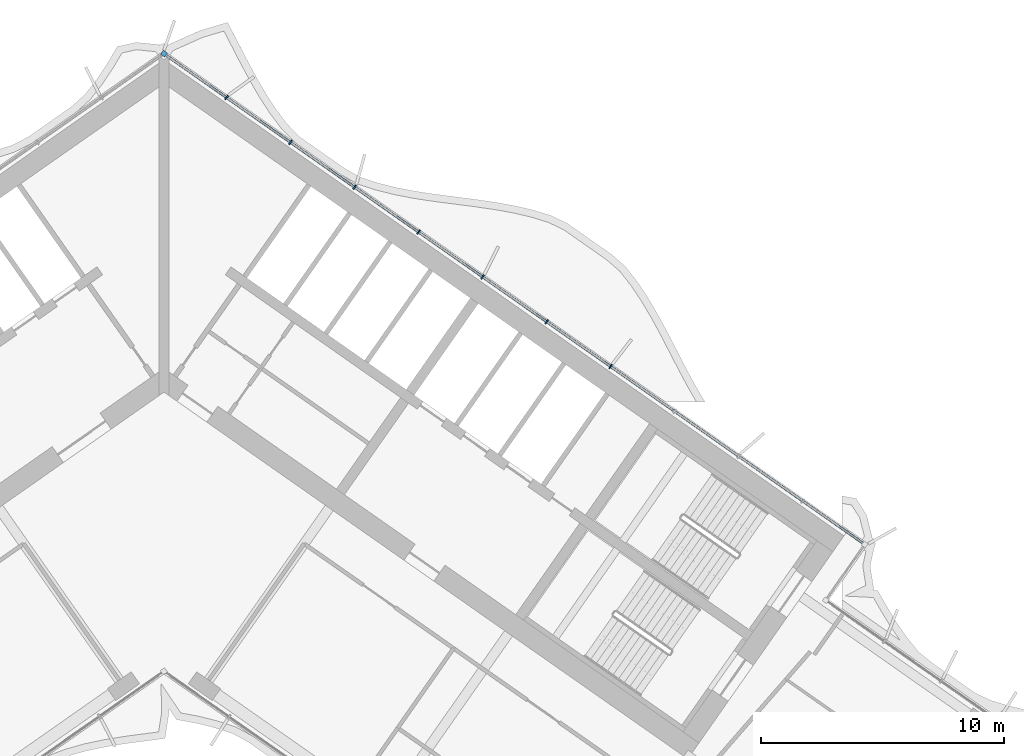
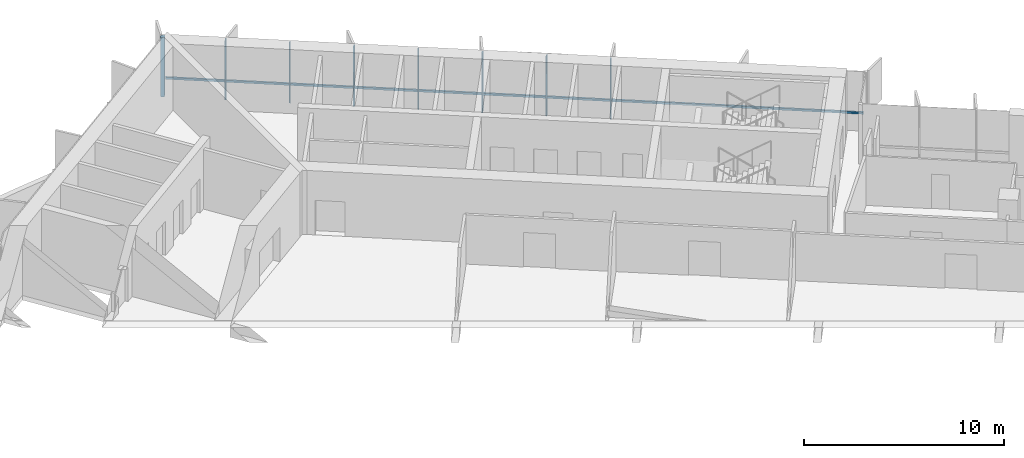
# One storey, part 8 of 21: 9 members, 1 element without a shape of its own.
"""IFC4 building model written with IfcOpenShell, lengths in metres."""

from ifc_helpers import new_model, si_unit, direction, frame, origin, origin_2d, place, context, subcontext, project, spatial, rectangle, extrude, material, material_profile, profile_set, type_object, element, aggregate, save


model = new_model("IFC4")

# Units and contexts
model_context = context("Model", 3, precision=1e-05, world=origin(), true_north=direction((0.0, 1.0)))
body_context = subcontext(model_context, "Body", "Model", "MODEL_VIEW")
ifc_project = project(units=[si_unit("LENGTHUNIT", "METRE"), si_unit("AREAUNIT", "SQUARE_METRE"), si_unit("VOLUMEUNIT", "CUBIC_METRE"), si_unit("PLANEANGLEUNIT", "RADIAN"), si_unit("MASSUNIT", "GRAM", prefix="KILO")], contexts=[model_context])

# Site, building, storey
site_placement = place(None, origin())
site = spatial("IfcSite", under=ifc_project, at=site_placement, CompositionType="ELEMENT")
building_placement = place(site_placement, origin())
building = spatial("IfcBuilding", under=site, at=building_placement, Name="Tel Ilan Convention Tower", CompositionType="ELEMENT")
storey_placement = place(building_placement, frame((0.0, 0.0, 159.300048828125)))
storey = spatial("IfcBuildingStorey", under=building, at=storey_placement, Name="L36", CompositionType="ELEMENT", Elevation=159.300048828125)

# Curtain wall, members
ifc_material_1 = material(Name="Aluminium, bronze anodised", Category="aluminium")
curtain_wall_type = type_object("IfcCurtainWallType", Name="CW2 STICK CURTAIN WALL, SPANDREL PANELS", PredefinedType="NOTDEFINED", material=ifc_material_1)
curtain_wall_placement = place(storey_placement, origin())
curtain_wall = element("IfcCurtainWall", 1, at=curtain_wall_placement, inside=storey, type_object=curtain_wall_type, Name="Curtain wall CW2-28.01", PredefinedType="NOTDEFINED")
ifc_material_2 = material(Name="Aluminium, bronze anodised", Category="aluminium")
ifc_material_profile_1 = material_profile(ifc_material_2, rectangle(XDim=0.199951171875, YDim=0.199951171875, at=origin_2d()), Name="CW CORNER MULLION 200x200")
ifc_profile_set_1 = profile_set([ifc_material_profile_1], Name="Aluminium, bronze anodised")
member_type_1 = type_object("IfcMemberType", Name="CW CORNER MULLION 200x200", PredefinedType="MULLION", material=ifc_profile_set_1)
member_1_placement = place(storey_placement, frame((0.0, 12.696044921875, 0.0), z_axis=(0.0, 0.0, 1.0), x_axis=(-0.819152044289, 0.573576436351, 0.0)))
member_1 = element("IfcMember", 2, at=member_1_placement, type_object=member_type_1, Name="Corner mullion", PredefinedType="MULLION", context=body_context, shape_type="SweptSolid", body=[
    extrude(rectangle(XDim=0.199951171875, YDim=0.199951171875, at=origin_2d()), origin(), (0.0, 0.0, 1.0), 3.619873046875),
])
ifc_material_3 = material(Name="Aluminium, bronze anodised", Category="aluminium")
ifc_material_profile_2 = material_profile(ifc_material_3, rectangle(XDim=0.06005859375, YDim=0.199951171875, at=origin_2d()), Name="CW MULLION 60x200")
ifc_profile_set_2 = profile_set([ifc_material_profile_2], Name="Aluminium, bronze anodised")
member_type_2 = type_object("IfcMemberType", Name="CW MULLION 60x200", PredefinedType="MULLION", material=ifc_profile_set_2)
member_2_placement = place(storey_placement, frame((18.37109375, -0.16748046875, 0.0), z_axis=(0.0, 0.0, 1.0), x_axis=(-0.819152044289, 0.573576436351, 0.0)))
member_2 = element("IfcMember", 3, at=member_2_placement, type_object=member_type_2, Name="Mullion", PredefinedType="MULLION", context=body_context, shape_type="SweptSolid", body=[
    extrude(rectangle(XDim=0.06005859375, YDim=0.199951171875, at=origin_2d()), origin(), (0.0, 0.0, 1.0), 3.619873046875),
])
member_3_placement = place(storey_placement, frame((15.73828125, 1.676025390625, 0.0), z_axis=(0.0, 0.0, 1.0), x_axis=(-0.819152044289, 0.573576436351, 0.0)))
member_3 = element("IfcMember", 4, at=member_3_placement, type_object=member_type_2, Name="Mullion", PredefinedType="MULLION", context=body_context, shape_type="SweptSolid", body=[
    extrude(rectangle(XDim=0.06005859375, YDim=0.199951171875, at=origin_2d()), origin(), (0.0, 0.0, 1.0), 3.619873046875),
])
member_4_placement = place(storey_placement, frame((13.105712890625, 3.519287109375, 0.0), z_axis=(0.0, 0.0, 1.0), x_axis=(-0.819152044289, 0.573576436351, 0.0)))
member_4 = element("IfcMember", 5, at=member_4_placement, type_object=member_type_2, Name="Mullion", PredefinedType="MULLION", context=body_context, shape_type="SweptSolid", body=[
    extrude(rectangle(XDim=0.06005859375, YDim=0.199951171875, at=origin_2d()), origin(), (0.0, 0.0, 1.0), 3.619873046875),
])
member_5_placement = place(storey_placement, frame((10.47314453125, 5.36279296875, 0.0), z_axis=(0.0, 0.0, 1.0), x_axis=(-0.819152044289, 0.573576436351, 0.0)))
member_5 = element("IfcMember", 6, at=member_5_placement, type_object=member_type_2, Name="Mullion", PredefinedType="MULLION", context=body_context, shape_type="SweptSolid", body=[
    extrude(rectangle(XDim=0.06005859375, YDim=0.199951171875, at=origin_2d()), origin(), (0.0, 0.0, 1.0), 3.619873046875),
])
member_6_placement = place(storey_placement, frame((7.840576171875, 7.2060546875, 0.0), z_axis=(0.0, 0.0, 1.0), x_axis=(-0.819152044289, 0.573576436351, 0.0)))
member_6 = element("IfcMember", 7, at=member_6_placement, type_object=member_type_2, Name="Mullion", PredefinedType="MULLION", context=body_context, shape_type="SweptSolid", body=[
    extrude(rectangle(XDim=0.06005859375, YDim=0.199951171875, at=origin_2d()), origin(), (0.0, 0.0, 1.0), 3.619873046875),
])
member_7_placement = place(storey_placement, frame((5.207763671875, 9.049560546875, 0.0), z_axis=(0.0, 0.0, 1.0), x_axis=(-0.819152044289, 0.573576436351, 0.0)))
member_7 = element("IfcMember", 8, at=member_7_placement, type_object=member_type_2, Name="Mullion", PredefinedType="MULLION", context=body_context, shape_type="SweptSolid", body=[
    extrude(rectangle(XDim=0.06005859375, YDim=0.199951171875, at=origin_2d()), origin(), (0.0, 0.0, 1.0), 3.619873046875),
])
member_8_placement = place(storey_placement, frame((2.5751953125, 10.892822265625, 0.0), z_axis=(0.0, 0.0, 1.0), x_axis=(-0.819152044289, 0.573576436351, 0.0)))
member_8 = element("IfcMember", 9, at=member_8_placement, type_object=member_type_2, Name="Mullion", PredefinedType="MULLION", context=body_context, shape_type="SweptSolid", body=[
    extrude(rectangle(XDim=0.06005859375, YDim=0.199951171875, at=origin_2d()), origin(), (0.0, 0.0, 1.0), 3.619873046875),
])
ifc_material_4 = material(Name="Aluminium, bronze anodised", Category="aluminium")
ifc_material_profile_3 = material_profile(ifc_material_4, rectangle(XDim=0.10009765625, YDim=0.1201171875, at=origin_2d()), Name="CW TRANSOM 100x120")
ifc_profile_set_3 = profile_set([ifc_material_profile_3], Name="Aluminium, bronze anodised")
member_type_3 = type_object("IfcMemberType", Name="CW TRANSOM 100x120", PredefinedType="USERDEFINED", material=ifc_profile_set_3)
member_9_placement = place(storey_placement, frame((28.737548828125, -7.42626953125, 1.099853515625), z_axis=(-0.819150201937, 0.573579067494, 0.0), x_axis=(-0.573579067494, -0.819150201937, 0.0)))
member_9 = element("IfcMember", 10, at=member_9_placement, type_object=member_type_3, Name="Transom", ObjectType="TRANSOM", PredefinedType="USERDEFINED", context=body_context, shape_type="SweptSolid", body=[
    extrude(rectangle(XDim=0.10009765625, YDim=0.1201171875, at=origin_2d()), origin(), (0.0, 0.0, 1.0), 34.9521484375),
])
aggregate(curtain_wall, [member_2, member_3, member_4, member_5, member_6, member_7, member_8, member_1, member_9])

save(model, "model.ifc")
